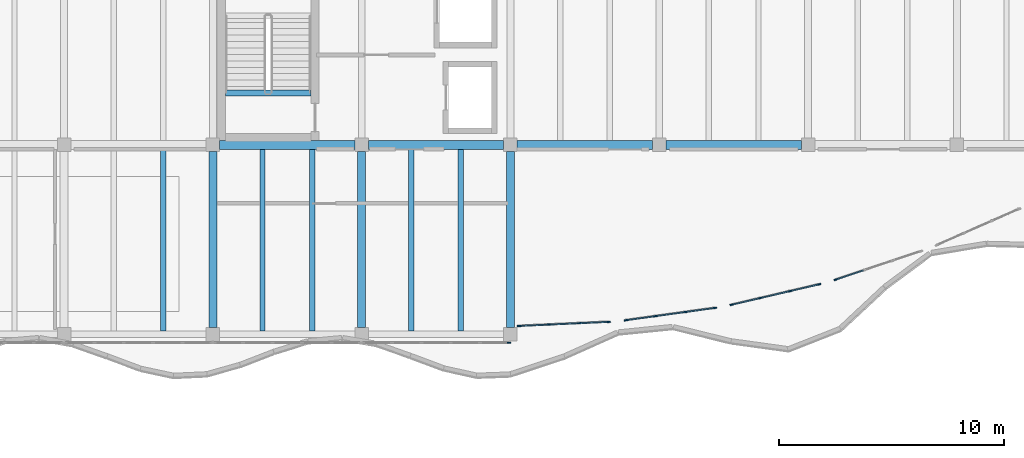
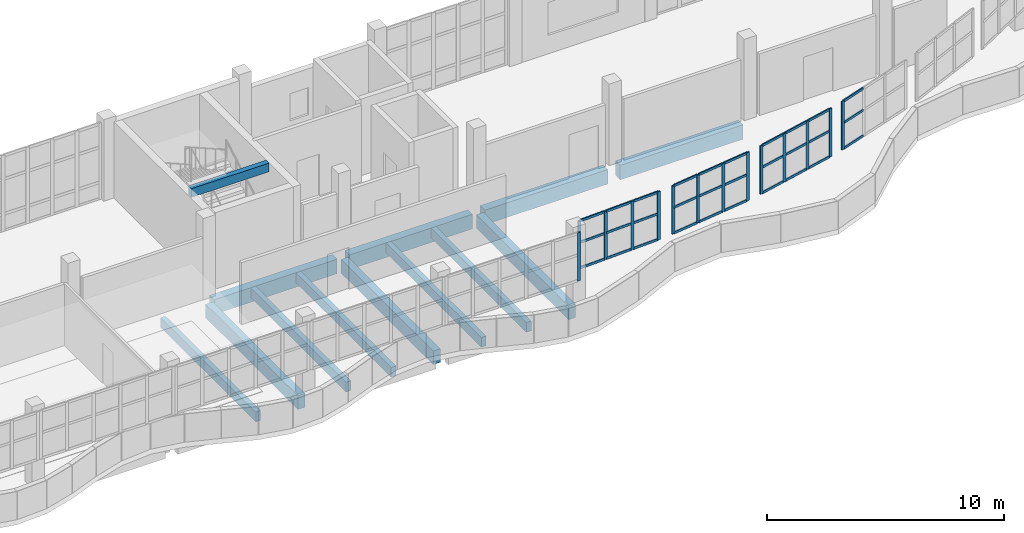
# One storey, part 17 of 74: 44 members, 13 beams, 5 elements without a shape of their own.
"""IFC4 building model written with IfcOpenShell, lengths in metres."""

import ifcopenshell
import ifcopenshell.guid

model = None  # the IFC model being written
_history = None  # IfcOwnerHistory: only IFC2X3 demands one
_inside = {}  # id of a spatial element -> (the spatial element, [elements in it])
_under = {}  # id of a project, library or spatial element -> (it, [spatial elements below it])
_declared = {}  # id of a project -> (the project, [libraries it declares])
_typed = {}  # id of a type object -> (the type object, [elements of that type])
_made_of = {}  # id of a material, layer set ... -> (it, [elements and type objects made of it])


def new_model(schema):
    """Start an empty IFC model of exactly this schema.

    Asked for "IFC4X3", IfcOpenShell would pick the latest addendum, in which some entities
    have other attributes; the version numbers below select the first issue.
    IFC2X3 requires an IfcOwnerHistory on every rooted entity: one is made here for all.
    """
    global model, _history
    if schema == "IFC4X3":
        model = ifcopenshell.file(schema_version=(4, 3, 0, 0))
    else:
        model = ifcopenshell.file(schema=schema)
    _inside.clear()
    _under.clear()
    _declared.clear()
    _typed.clear()
    _made_of.clear()
    _history = None
    if model.schema == "IFC2X3":
        org = make("IfcOrganization", Name="unknown")
        user = make(
            "IfcPersonAndOrganization",
            ThePerson=make("IfcPerson", FamilyName="unknown"),
            TheOrganization=org,
        )
        app = make(
            "IfcApplication",
            ApplicationDeveloper=org,
            Version="unknown",
            ApplicationFullName="unknown",
            ApplicationIdentifier="unknown",
        )
        _history = make(
            "IfcOwnerHistory",
            OwningUser=user,
            OwningApplication=app,
            ChangeAction="ADDED",
            CreationDate=0,
        )
    return model


def make(cls, **values):
    """One entity of the class cls with the attributes given. An attribute that is None is left unset."""
    return model.create_entity(
        cls, **{name: value for name, value in values.items() if value is not None}
    )


def rooted(cls, **values):
    """An entity with a GlobalId (a new one), such as an element, a storey or a relation."""
    return make(cls, GlobalId=ifcopenshell.guid.new(), OwnerHistory=_history, **values)


def si_unit(unit_type, name, prefix=None):
    """IfcSIUnit, for example si_unit("LENGTHUNIT", "METRE", prefix="MILLI")."""
    return make("IfcSIUnit", UnitType=unit_type, Prefix=prefix, Name=name)


def assignment(units):
    """IfcUnitAssignment: the units of a project."""
    return None if units is None else make("IfcUnitAssignment", Units=units)


def point(xyz):
    """IfcCartesianPoint."""
    return None if xyz is None else make("IfcCartesianPoint", Coordinates=xyz)


def direction(xyz):
    """IfcDirection."""
    return None if xyz is None else make("IfcDirection", DirectionRatios=xyz)


def frame(location, z_axis=None, x_axis=None):
    """IfcAxis2Placement3D, a coordinate frame: its origin and axes. An axis left out is left unset."""
    return make(
        "IfcAxis2Placement3D",
        Location=point(location),
        Axis=direction(z_axis),
        RefDirection=direction(x_axis),
    )


def frame_2d(location, x_axis=None):
    """IfcAxis2Placement2D, a coordinate frame in the plane: its origin and x axis."""
    return make(
        "IfcAxis2Placement2D", Location=point(location), RefDirection=direction(x_axis)
    )


def origin():
    """The frame at (0, 0, 0) with its axes left unset."""
    return frame((0.0, 0.0, 0.0))


def origin_2d():
    """The frame at (0, 0) in the plane with its x axis left unset."""
    return frame_2d((0.0, 0.0))


def place(relative_to, where):
    """IfcLocalPlacement: puts the frame where relative to a parent placement (None: the world)."""
    return make(
        "IfcLocalPlacement", PlacementRelTo=relative_to, RelativePlacement=where
    )


def context(
    kind, dimensions, precision=None, world=None, true_north=None, identifier=None
):
    """IfcGeometricRepresentationContext, for example the 3D "Model" context."""
    return make(
        "IfcGeometricRepresentationContext",
        ContextIdentifier=identifier,
        ContextType=kind,
        CoordinateSpaceDimension=dimensions,
        Precision=precision,
        WorldCoordinateSystem=world,
        TrueNorth=true_north,
    )


def subcontext(parent, identifier, kind, view, scale=None):
    """IfcGeometricRepresentationSubContext, for example "Body" below "Model"."""
    return make(
        "IfcGeometricRepresentationSubContext",
        ContextIdentifier=identifier,
        ContextType=kind,
        ParentContext=parent,
        TargetScale=scale,
        TargetView=view,
    )


def project(units=None, contexts=None):
    """IfcProject with its units and contexts."""
    return rooted(
        "IfcProject",
        Name="project",
        RepresentationContexts=contexts,
        UnitsInContext=assignment(units),
    )


def spatial(cls, under=None, at=None, **own):
    """A site, building, storey or space (cls), placed at a placement, below another one or the project."""
    s = rooted(cls, ObjectPlacement=at, **own)
    if under is not None:
        _under.setdefault(under.id(), (under, []))[1].append(s)
    return s


def profile(cls, at=None, kind="AREA", **sizes):
    """A parametric profile (cls). Its sizes go by their IFC names, for example OverallWidth=200.0."""
    return make(cls, ProfileType=kind, Position=at, **sizes)


def rectangle(**sizes):
    """IfcRectangleProfileDef."""
    return profile("IfcRectangleProfileDef", **sizes)


def extrude(swept, where, along, depth):
    """IfcExtrudedAreaSolid: the profile swept, set in the frame where, extruded along a direction by depth."""
    return make(
        "IfcExtrudedAreaSolid",
        SweptArea=swept,
        Position=where,
        ExtrudedDirection=direction(along),
        Depth=depth,
    )


def shape(context_of_items, identifier, shape_type, items):
    """IfcShapeRepresentation: the items that make up one representation, for example the "Body"."""
    return make(
        "IfcShapeRepresentation",
        ContextOfItems=context_of_items,
        RepresentationIdentifier=identifier,
        RepresentationType=shape_type,
        Items=items,
    )


def material(Name=None, Category=None):
    """IfcMaterial."""
    return make("IfcMaterial", Name=Name, Category=Category)


def material_profile(
    of_material, cross_section, Name=None, Category=None, Priority=None
):
    """IfcMaterialProfile: a cross section and its material."""
    return make(
        "IfcMaterialProfile",
        Name=Name,
        Material=of_material,
        Profile=cross_section,
        Priority=Priority,
        Category=Category,
    )


def profile_set(profiles, Name=None, composite=None):
    """IfcMaterialProfileSet."""
    return make(
        "IfcMaterialProfileSet",
        Name=Name,
        MaterialProfiles=profiles,
        CompositeProfile=composite,
    )


def made_of(thing, what):
    """Note that an element or type object is made of a material, layer set ...; save() writes the relation."""
    if what is not None:
        _made_of.setdefault(what.id(), (what, []))[1].append(thing)
    return thing


def type_object(cls, material=None, **own):
    """A type object (cls), such as IfcWallType, which elements share."""
    return made_of(rooted(cls, **own), material)


def element(
    cls,
    number,
    at=None,
    inside=None,
    cuts=None,
    type_object=None,
    material=None,
    context=None,
    identifier="Body",
    shape_type=None,
    held_by="IfcProductDefinitionShape",
    body=None,
    shapes=None,
    **own,
):
    """One element of the class cls, such as IfcWall. Its Tag is "e" and its number.

    at: its placement. inside: the storey or other place that contains it. cuts: it is an
    opening in that element (IfcRelVoidsElement). A single representation is given by context,
    identifier, shape_type and body (its items); several are given by shapes. held_by: the class
    of the entity that holds the representations. save() writes the other relations.
    """
    e = rooted(cls, Tag="e%d" % number, ObjectPlacement=at, **own)
    if body is not None:
        shapes = [shape(context, identifier, shape_type, body)]
    if shapes is not None:
        e.Representation = make(held_by, Representations=shapes)
    if inside is not None:
        _inside.setdefault(inside.id(), (inside, []))[1].append(e)
    if cuts is not None:
        rooted(
            "IfcRelVoidsElement", RelatingBuildingElement=cuts, RelatedOpeningElement=e
        )
    if type_object is not None:
        _typed.setdefault(type_object.id(), (type_object, []))[1].append(e)
    return made_of(e, material)


def aggregate(whole, parts):
    """IfcRelAggregates: a whole, such as a stair, and the parts it consists of."""
    return rooted("IfcRelAggregates", RelatingObject=whole, RelatedObjects=parts)


def save(model, path):
    """Write the relations noted so far, then the file.

    IfcRelAggregates (storeys below a building ...), IfcRelContainedInSpatialStructure (elements
    in a storey), IfcRelDefinesByType, IfcRelAssociatesMaterial and IfcRelDeclares: one each for
    every whole, place, type object, material and project.
    """
    for whole, parts in _under.values():
        aggregate(whole, parts)
    for where, things in _inside.values():
        rooted(
            "IfcRelContainedInSpatialStructure",
            RelatedElements=things,
            RelatingStructure=where,
        )
    for kind, things in _typed.values():
        rooted("IfcRelDefinesByType", RelatedObjects=things, RelatingType=kind)
    for what, things in _made_of.values():
        rooted("IfcRelAssociatesMaterial", RelatedObjects=things, RelatingMaterial=what)
    for by, libraries in _declared.values():
        rooted("IfcRelDeclares", RelatingContext=by, RelatedDefinitions=libraries)
    model.write(path)


model = new_model("IFC4")

# Units and contexts
model_context = context("Model", 3, precision=1e-05, world=origin(), true_north=direction((0.0, 1.0)))
body_context = subcontext(model_context, "Body", "Model", "MODEL_VIEW")
ifc_project = project(units=[si_unit("LENGTHUNIT", "METRE"), si_unit("AREAUNIT", "SQUARE_METRE"), si_unit("VOLUMEUNIT", "CUBIC_METRE"), si_unit("PLANEANGLEUNIT", "RADIAN"), si_unit("MASSUNIT", "GRAM", prefix="KILO")], contexts=[model_context])

# Site, building, storey
site_placement = place(None, origin())
site = spatial("IfcSite", under=ifc_project, at=site_placement, CompositionType="ELEMENT")
building_placement = place(site_placement, origin())
building = spatial("IfcBuilding", under=site, at=building_placement, Name="Qaldarim Faculty of Natural and Applied Sciences", CompositionType="ELEMENT")
storey_placement = place(building_placement, frame((0.0, 0.0, 14.39990234375)))
storey = spatial("IfcBuildingStorey", under=building, at=storey_placement, Name="L03", CompositionType="ELEMENT", Elevation=14.39990234375)

# Beams
ifc_material_1 = material(Name="Concrete C40/50", Category="concrete")
ifc_material_profile_1 = material_profile(ifc_material_1, rectangle(XDim=0.239990234375, YDim=0.5, at=origin_2d()), Name="RC-J240x500")
ifc_profile_set_1 = profile_set([ifc_material_profile_1], Name="Concrete C40/50")
beam_type_1 = type_object("IfcBeamType", Name="HeavyJoist-RC240x500", PredefinedType="JOIST", material=ifc_profile_set_1)
for number, where, z_axis, x_axis, name in (
    (1, (96.800048828125, 100.949951171875, -0.510009765625), (0.0, 1.0, 0.0), (-1.0, 0.0, 0.0), "Laboratory joist L02 bay X15Y13-2"),
    (2, (101.199951171875, 100.949951171875, -0.510009765625), (0.0, 1.0, 0.0), (-1.0, 0.0, 0.0), "Laboratory joist L02 bay X16Y13-1"),
    (3, (103.39990234375, 100.949951171875, -0.510009765625), (0.0, 1.0, 0.0), (-1.0, 0.0, 0.0), "Laboratory joist L02 bay X16Y13-2"),
    (4, (107.800048828125, 100.949951171875, -0.510009765625), (0.0, 1.0, 0.0), (-1.0, 0.0, 0.0), "Laboratory joist L02 bay X17Y13-1"),
    (5, (110.0, 100.949951171875, -0.510009765625), (0.0, 1.0, 0.0), (-1.0, 0.0, 0.0), "Laboratory joist L02 bay X17Y13-2"),
):
    element("IfcBeam", number, at=place(storey_placement, frame(where, z_axis=z_axis, x_axis=x_axis)), inside=storey, type_object=beam_type_1, Name=name, PredefinedType="JOIST", context=body_context, shape_type="SweptSolid", body=[
        extrude(rectangle(XDim=0.239990234375, YDim=0.5, at=origin_2d()), origin(), (0.0, 0.0, 1.0), 8.050048828125),
    ])
ifc_material_2 = material(Name="Concrete C50/60", Category="concrete")
ifc_material_profile_2 = material_profile(ifc_material_2, rectangle(XDim=0.39990234375, YDim=0.75, at=origin_2d()), Name="RC-B400x750")
ifc_profile_set_2 = profile_set([ifc_material_profile_2], Name="Concrete C50/60")
beam_type_2 = type_object("IfcBeamType", Name="LabGirder-RC400x750", PredefinedType="BEAM", material=ifc_profile_set_2)
for number, where, z_axis, x_axis, name in (
    (6, (99.300048828125, 109.199951171875, -0.635009765625), (1.0, 0.0, 0.0), (0.0, 1.0, 0.0), "Beam RC-B400x750 L02 X16-X17/Y14"),
    (7, (105.89990234375, 109.199951171875, -0.635009765625), (1.0, 0.0, 0.0), (0.0, 1.0, 0.0), "Beam RC-B400x750 L02 X17-X18/Y14"),
    (8, (112.5, 109.199951171875, -0.635009765625), (1.0, 0.0, 0.0), (0.0, 1.0, 0.0), "Beam RC-B400x750 L02 X18-X19/Y14"),
    (9, (119.10009765625, 109.199951171875, -0.635009765625), (1.0, 0.0, 0.0), (0.0, 1.0, 0.0), "Beam RC-B400x750 L02 X19-X20/Y14"),
):
    element("IfcBeam", number, at=place(storey_placement, frame(where, z_axis=z_axis, x_axis=x_axis)), inside=storey, type_object=beam_type_2, Name=name, PredefinedType="BEAM", context=body_context, shape_type="SweptSolid", body=[
        extrude(rectangle(XDim=0.39990234375, YDim=0.75, at=origin_2d()), origin(), (0.0, 0.0, 1.0), 6.0),
    ])
ifc_material_profile_3 = material_profile(ifc_material_1, rectangle(XDim=0.25, YDim=0.449951171875, at=origin_2d()), Name="RC-LN250x450")
ifc_profile_set_3 = profile_set([ifc_material_profile_3], Name="Concrete C40/50")
beam_type_3 = type_object("IfcBeamType", Name="LandingSupportBeam-RC250x450", PredefinedType="BEAM", material=ifc_profile_set_3)
beam_placement = place(storey_placement, frame((99.550048828125, 111.5, 3.715087890625), z_axis=(1.0, 0.0, 0.0), x_axis=(0.0, 1.0, 0.0)))
element("IfcBeam", 10, at=beam_placement, inside=storey, type_object=beam_type_3, Name="Stair arrival support beam ST-B1 L03", PredefinedType="BEAM", context=body_context, shape_type="SweptSolid", body=[
    extrude(rectangle(XDim=0.25, YDim=0.449951171875, at=origin_2d()), origin(), (0.0, 0.0, 1.0), 3.800048828125),
])

# Curtain wall, member
ifc_material_3 = material(Name="Anodised aluminium AW-6063", Category="aluminium")
curtain_wall_type = type_object("IfcCurtainWallType", Name="CurtainWallSystem-M1400", PredefinedType="USERDEFINED", material=ifc_material_3)
curtain_wall_1_placement = place(storey_placement, origin())
curtain_wall_1 = element("IfcCurtainWall", 11, at=curtain_wall_1_placement, inside=storey, type_object=curtain_wall_type, Name="Curtain wall CW-V4RIB-L03-X17", ObjectType="STICK CURTAIN WALL", PredefinedType="USERDEFINED")
ifc_material_profile_4 = material_profile(ifc_material_3, rectangle(XDim=0.06005859375, YDim=0.14990234375, at=origin_2d()), Name="ALU-M60x150")
ifc_profile_set_4 = profile_set([ifc_material_profile_4], Name="Anodised aluminium AW-6063")
member_type_1 = type_object("IfcMemberType", Name="Mullion-ALU60x150", PredefinedType="MULLION", material=ifc_profile_set_4)
member_1_placement = place(storey_placement, frame((112.1298828125, 100.419921875, 1.4501953125), z_axis=(0.0, 0.0, 1.0), x_axis=(0.0, 1.0, 0.0)))
member_1 = element("IfcMember", 12, at=member_1_placement, type_object=member_type_1, Name="Mullion 6 of CW-V4RIB-L03-X17", PredefinedType="MULLION", context=body_context, shape_type="SweptSolid", body=[
    extrude(rectangle(XDim=0.06005859375, YDim=0.14990234375, at=origin_2d()), origin(), (0.0, 0.0, 1.0), 2.489990234375),
])
aggregate(curtain_wall_1, [member_1])

# Curtain wall, members
curtain_wall_2_placement = place(storey_placement, origin())
curtain_wall_2 = element("IfcCurtainWall", 13, at=curtain_wall_2_placement, inside=storey, type_object=curtain_wall_type, Name="Curtain wall CW-V4ARC-L03-00", ObjectType="STICK CURTAIN WALL", PredefinedType="USERDEFINED")
member_2_placement = place(storey_placement, frame((112.580078125, 101.16650390625, 1.4501953125), z_axis=(0.0, 0.0, 1.0), x_axis=(-0.045746561938, 0.998953078013, 0.0)))
member_2 = element("IfcMember", 14, at=member_2_placement, type_object=member_type_1, Name="Mullion 1 of CW-V4ARC-L03-00", PredefinedType="MULLION", context=body_context, shape_type="SweptSolid", body=[
    extrude(rectangle(XDim=0.06005859375, YDim=0.14990234375, at=origin_2d()), origin(), (0.0, 0.0, 1.0), 2.489990234375),
])
member_3_placement = place(storey_placement, frame((113.896728515625, 101.226806640625, 1.4501953125), z_axis=(0.0, 0.0, 1.0), x_axis=(-0.045746561938, 0.998953078013, 0.0)))
member_3 = element("IfcMember", 15, at=member_3_placement, type_object=member_type_1, Name="Mullion 2 of CW-V4ARC-L03-00", PredefinedType="MULLION", context=body_context, shape_type="SweptSolid", body=[
    extrude(rectangle(XDim=0.06005859375, YDim=0.14990234375, at=origin_2d()), origin(), (0.0, 0.0, 1.0), 2.489990234375),
])
member_4_placement = place(storey_placement, frame((115.243408203125, 101.288330078125, 1.4501953125), z_axis=(0.0, 0.0, 1.0), x_axis=(-0.045746561938, 0.998953078013, 0.0)))
member_4 = element("IfcMember", 16, at=member_4_placement, type_object=member_type_1, Name="Mullion 3 of CW-V4ARC-L03-00", PredefinedType="MULLION", context=body_context, shape_type="SweptSolid", body=[
    extrude(rectangle(XDim=0.06005859375, YDim=0.14990234375, at=origin_2d()), origin(), (0.0, 0.0, 1.0), 2.489990234375),
])
member_5_placement = place(storey_placement, frame((116.56005859375, 101.3486328125, 1.4501953125), z_axis=(0.0, 0.0, 1.0), x_axis=(-0.045746561938, 0.998953078013, 0.0)))
member_5 = element("IfcMember", 17, at=member_5_placement, type_object=member_type_1, Name="Mullion 4 of CW-V4ARC-L03-00", PredefinedType="MULLION", context=body_context, shape_type="SweptSolid", body=[
    extrude(rectangle(XDim=0.06005859375, YDim=0.14990234375, at=origin_2d()), origin(), (0.0, 0.0, 1.0), 2.489990234375),
])

curtain_wall_3_placement = place(storey_placement, origin())
curtain_wall_3 = element("IfcCurtainWall", 18, at=curtain_wall_3_placement, inside=storey, type_object=curtain_wall_type, Name="Curtain wall CW-V4ARC-L03-02", ObjectType="STICK CURTAIN WALL", PredefinedType="USERDEFINED")
member_6_placement = place(storey_placement, frame((117.314697265625, 101.419189453125, 1.4501953125), z_axis=(0.0, 0.0, 1.0), x_axis=(-0.137098784642, 0.990557380089, 0.0)))
member_6 = element("IfcMember", 19, at=member_6_placement, type_object=member_type_1, Name="Mullion 1 of CW-V4ARC-L03-02", PredefinedType="MULLION", context=body_context, shape_type="SweptSolid", body=[
    extrude(rectangle(XDim=0.06005859375, YDim=0.14990234375, at=origin_2d()), origin(), (0.0, 0.0, 1.0), 2.489990234375),
])
member_7_placement = place(storey_placement, frame((118.62158203125, 101.60009765625, 1.4501953125), z_axis=(0.0, 0.0, 1.0), x_axis=(-0.137098784642, 0.990557380089, 0.0)))
member_7 = element("IfcMember", 20, at=member_7_placement, type_object=member_type_1, Name="Mullion 2 of CW-V4ARC-L03-02", PredefinedType="MULLION", context=body_context, shape_type="SweptSolid", body=[
    extrude(rectangle(XDim=0.06005859375, YDim=0.14990234375, at=origin_2d()), origin(), (0.0, 0.0, 1.0), 2.489990234375),
])
member_8_placement = place(storey_placement, frame((119.958251953125, 101.784912109375, 1.4501953125), z_axis=(0.0, 0.0, 1.0), x_axis=(-0.137098784642, 0.990557380089, 0.0)))
member_8 = element("IfcMember", 21, at=member_8_placement, type_object=member_type_1, Name="Mullion 3 of CW-V4ARC-L03-02", PredefinedType="MULLION", context=body_context, shape_type="SweptSolid", body=[
    extrude(rectangle(XDim=0.06005859375, YDim=0.14990234375, at=origin_2d()), origin(), (0.0, 0.0, 1.0), 2.489990234375),
])
member_9_placement = place(storey_placement, frame((121.265380859375, 101.9658203125, 1.4501953125), z_axis=(0.0, 0.0, 1.0), x_axis=(-0.137098784642, 0.990557380089, 0.0)))
member_9 = element("IfcMember", 22, at=member_9_placement, type_object=member_type_1, Name="Mullion 4 of CW-V4ARC-L03-02", PredefinedType="MULLION", context=body_context, shape_type="SweptSolid", body=[
    extrude(rectangle(XDim=0.06005859375, YDim=0.14990234375, at=origin_2d()), origin(), (0.0, 0.0, 1.0), 2.489990234375),
])

curtain_wall_4_placement = place(storey_placement, origin())
curtain_wall_4 = element("IfcCurtainWall", 23, at=curtain_wall_4_placement, inside=storey, type_object=curtain_wall_type, Name="Curtain wall CW-V4ARC-L03-04", ObjectType="STICK CURTAIN WALL", PredefinedType="USERDEFINED")
member_10_placement = place(storey_placement, frame((122.00927734375, 102.106689453125, 1.4501953125), z_axis=(0.0, 0.0, 1.0), x_axis=(-0.2273822043, 0.973805593108, 0.0)))
member_10 = element("IfcMember", 24, at=member_10_placement, type_object=member_type_1, Name="Mullion 1 of CW-V4ARC-L03-04", PredefinedType="MULLION", context=body_context, shape_type="SweptSolid", body=[
    extrude(rectangle(XDim=0.06005859375, YDim=0.14990234375, at=origin_2d()), origin(), (0.0, 0.0, 1.0), 2.489990234375),
])
member_11_placement = place(storey_placement, frame((123.293212890625, 102.40673828125, 1.4501953125), z_axis=(0.0, 0.0, 1.0), x_axis=(-0.2273822043, 0.973805593108, 0.0)))
member_11 = element("IfcMember", 25, at=member_11_placement, type_object=member_type_1, Name="Mullion 2 of CW-V4ARC-L03-04", PredefinedType="MULLION", context=body_context, shape_type="SweptSolid", body=[
    extrude(rectangle(XDim=0.06005859375, YDim=0.14990234375, at=origin_2d()), origin(), (0.0, 0.0, 1.0), 2.489990234375),
])
member_12_placement = place(storey_placement, frame((124.606689453125, 102.71337890625, 1.4501953125), z_axis=(0.0, 0.0, 1.0), x_axis=(-0.2273822043, 0.973805593108, 0.0)))
member_12 = element("IfcMember", 26, at=member_12_placement, type_object=member_type_1, Name="Mullion 3 of CW-V4ARC-L03-04", PredefinedType="MULLION", context=body_context, shape_type="SweptSolid", body=[
    extrude(rectangle(XDim=0.06005859375, YDim=0.14990234375, at=origin_2d()), origin(), (0.0, 0.0, 1.0), 2.489990234375),
])
member_13_placement = place(storey_placement, frame((125.890869140625, 103.01318359375, 1.4501953125), z_axis=(0.0, 0.0, 1.0), x_axis=(-0.2273822043, 0.973805593108, 0.0)))
member_13 = element("IfcMember", 27, at=member_13_placement, type_object=member_type_1, Name="Mullion 4 of CW-V4ARC-L03-04", PredefinedType="MULLION", context=body_context, shape_type="SweptSolid", body=[
    extrude(rectangle(XDim=0.06005859375, YDim=0.14990234375, at=origin_2d()), origin(), (0.0, 0.0, 1.0), 2.489990234375),
])

# Curtain wall, member
curtain_wall_5_placement = place(storey_placement, origin())
curtain_wall_5 = element("IfcCurtainWall", 28, at=curtain_wall_5_placement, inside=storey, type_object=curtain_wall_type, Name="Curtain wall CW-V4ARC-L03-06", ObjectType="STICK CURTAIN WALL", PredefinedType="USERDEFINED")
member_14_placement = place(storey_placement, frame((126.62353515625, 103.219482421875, 1.4501953125), z_axis=(0.0, 0.0, 1.0), x_axis=(-0.316592858196, 0.94856152259, 0.0)))
member_14 = element("IfcMember", 29, at=member_14_placement, type_object=member_type_1, Name="Mullion 1 of CW-V4ARC-L03-06", PredefinedType="MULLION", context=body_context, shape_type="SweptSolid", body=[
    extrude(rectangle(XDim=0.06005859375, YDim=0.14990234375, at=origin_2d()), origin(), (0.0, 0.0, 1.0), 2.489990234375),
])

# Beams
ifc_material_profile_5 = material_profile(ifc_material_1, rectangle(XDim=0.35009765625, YDim=0.699951171875, at=origin_2d()), Name="RC-B350x700")
ifc_profile_set_5 = profile_set([ifc_material_profile_5], Name="Concrete C40/50")
beam_type_4 = type_object("IfcBeamType", Name="PrimaryGirder-RC350x700", PredefinedType="BEAM", material=ifc_profile_set_5)
for number, where, z_axis, x_axis, name in (
    (30, (99.0, 101.10009765625, -0.60986328125), (0.0, 1.0, 0.0), (-1.0, 0.0, 0.0), "Beam RC-B350x700 L02 X16/Y13-Y14"),
    (31, (105.60009765625, 101.10009765625, -0.60986328125), (0.0, 1.0, 0.0), (-1.0, 0.0, 0.0), "Beam RC-B350x700 L02 X17/Y13-Y14"),
    (32, (112.199951171875, 101.10009765625, -0.60986328125), (0.0, 1.0, 0.0), (-1.0, 0.0, 0.0), "Beam RC-B350x700 L02 X18/Y13-Y14"),
):
    element("IfcBeam", number, at=place(storey_placement, frame(where, z_axis=z_axis, x_axis=x_axis)), inside=storey, type_object=beam_type_4, Name=name, PredefinedType="BEAM", context=body_context, shape_type="SweptSolid", body=[
        extrude(rectangle(XDim=0.35009765625, YDim=0.699951171875, at=origin_2d()), origin(), (0.0, 0.0, 1.0), 7.7998046875),
    ])

# Member
ifc_material_profile_6 = material_profile(ifc_material_3, rectangle(XDim=0.06005859375, YDim=0.1201171875, at=origin_2d()), Name="ALU-T60x120")
ifc_profile_set_6 = profile_set([ifc_material_profile_6], Name="Anodised aluminium AW-6063")
member_type_2 = type_object("IfcMemberType", Name="Transom-ALU60x120", PredefinedType="USERDEFINED", material=ifc_profile_set_6)
member_15_placement = place(storey_placement, frame((112.60986328125, 101.167724609375, 1.47998046875), z_axis=(0.998950860926, 0.045794950112, 0.0), x_axis=(-0.045794950112, 0.998950860926, 0.0)))
member_15 = element("IfcMember", 33, at=member_15_placement, type_object=member_type_2, Name="Transom 1-1 of CW-V4ARC-L03-00", ObjectType="TRANSOM", PredefinedType="USERDEFINED", context=body_context, shape_type="SweptSolid", body=[
    extrude(rectangle(XDim=0.06005859375, YDim=0.1201171875, at=origin_2d()), origin(), (0.0, 0.0, 1.0), 1.258056640625),
])

member_16_placement = place(storey_placement, frame((112.60986328125, 101.167724609375, 2.800048828125), z_axis=(0.998950860926, 0.045794950112, 0.0), x_axis=(-0.045794950112, 0.998950860926, 0.0)))
member_16 = element("IfcMember", 34, at=member_16_placement, type_object=member_type_2, Name="Transom 1-2 of CW-V4ARC-L03-00", ObjectType="TRANSOM", PredefinedType="USERDEFINED", context=body_context, shape_type="SweptSolid", body=[
    extrude(rectangle(XDim=0.06005859375, YDim=0.1201171875, at=origin_2d()), origin(), (0.0, 0.0, 1.0), 1.258056640625),
])

member_17_placement = place(storey_placement, frame((112.60986328125, 101.167724609375, 3.91015625), z_axis=(0.998950860926, 0.045794950112, 0.0), x_axis=(-0.045794950112, 0.998950860926, 0.0)))
member_17 = element("IfcMember", 35, at=member_17_placement, type_object=member_type_2, Name="Transom 1-3 of CW-V4ARC-L03-00", ObjectType="TRANSOM", PredefinedType="USERDEFINED", context=body_context, shape_type="SweptSolid", body=[
    extrude(rectangle(XDim=0.06005859375, YDim=0.1201171875, at=origin_2d()), origin(), (0.0, 0.0, 1.0), 1.258056640625),
])

member_18_placement = place(storey_placement, frame((113.926513671875, 101.22802734375, 1.47998046875), z_axis=(0.998947726126, 0.04586328016, 0.0), x_axis=(-0.04586328016, 0.998947726126, 0.0)))
member_18 = element("IfcMember", 36, at=member_18_placement, type_object=member_type_2, Name="Transom 2-1 of CW-V4ARC-L03-00", ObjectType="TRANSOM", PredefinedType="USERDEFINED", context=body_context, shape_type="SweptSolid", body=[
    extrude(rectangle(XDim=0.06005859375, YDim=0.1201171875, at=origin_2d()), origin(), (0.0, 0.0, 1.0), 1.288330078125),
])

member_19_placement = place(storey_placement, frame((113.926513671875, 101.22802734375, 2.800048828125), z_axis=(0.998947726126, 0.04586328016, 0.0), x_axis=(-0.04586328016, 0.998947726126, 0.0)))
member_19 = element("IfcMember", 37, at=member_19_placement, type_object=member_type_2, Name="Transom 2-2 of CW-V4ARC-L03-00", ObjectType="TRANSOM", PredefinedType="USERDEFINED", context=body_context, shape_type="SweptSolid", body=[
    extrude(rectangle(XDim=0.06005859375, YDim=0.1201171875, at=origin_2d()), origin(), (0.0, 0.0, 1.0), 1.288330078125),
])

member_20_placement = place(storey_placement, frame((113.926513671875, 101.22802734375, 3.91015625), z_axis=(0.998947726126, 0.04586328016, 0.0), x_axis=(-0.04586328016, 0.998947726126, 0.0)))
member_20 = element("IfcMember", 38, at=member_20_placement, type_object=member_type_2, Name="Transom 2-3 of CW-V4ARC-L03-00", ObjectType="TRANSOM", PredefinedType="USERDEFINED", context=body_context, shape_type="SweptSolid", body=[
    extrude(rectangle(XDim=0.06005859375, YDim=0.1201171875, at=origin_2d()), origin(), (0.0, 0.0, 1.0), 1.288330078125),
])

member_21_placement = place(storey_placement, frame((115.273193359375, 101.289794921875, 1.47998046875), z_axis=(0.998950860926, 0.045794950112, 0.0), x_axis=(-0.045794950112, 0.998950860926, 0.0)))
member_21 = element("IfcMember", 39, at=member_21_placement, type_object=member_type_2, Name="Transom 3-1 of CW-V4ARC-L03-00", ObjectType="TRANSOM", PredefinedType="USERDEFINED", context=body_context, shape_type="SweptSolid", body=[
    extrude(rectangle(XDim=0.06005859375, YDim=0.1201171875, at=origin_2d()), origin(), (0.0, 0.0, 1.0), 1.258056640625),
])

member_22_placement = place(storey_placement, frame((115.273193359375, 101.289794921875, 2.800048828125), z_axis=(0.998950860926, 0.045794950112, 0.0), x_axis=(-0.045794950112, 0.998950860926, 0.0)))
member_22 = element("IfcMember", 40, at=member_22_placement, type_object=member_type_2, Name="Transom 3-2 of CW-V4ARC-L03-00", ObjectType="TRANSOM", PredefinedType="USERDEFINED", context=body_context, shape_type="SweptSolid", body=[
    extrude(rectangle(XDim=0.06005859375, YDim=0.1201171875, at=origin_2d()), origin(), (0.0, 0.0, 1.0), 1.258056640625),
])

member_23_placement = place(storey_placement, frame((115.273193359375, 101.289794921875, 3.91015625), z_axis=(0.998950860926, 0.045794950112, 0.0), x_axis=(-0.045794950112, 0.998950860926, 0.0)))
member_23 = element("IfcMember", 41, at=member_23_placement, type_object=member_type_2, Name="Transom 3-3 of CW-V4ARC-L03-00", ObjectType="TRANSOM", PredefinedType="USERDEFINED", context=body_context, shape_type="SweptSolid", body=[
    extrude(rectangle(XDim=0.06005859375, YDim=0.1201171875, at=origin_2d()), origin(), (0.0, 0.0, 1.0), 1.258056640625),
])

aggregate(curtain_wall_2, [member_2, member_3, member_4, member_5, member_15, member_16, member_17, member_18, member_19, member_20, member_21, member_22, member_23])

member_24_placement = place(storey_placement, frame((117.344482421875, 101.423095703125, 1.47998046875), z_axis=(0.990534056206, 0.137267197454, 0.0), x_axis=(-0.137267197454, 0.990534056206, 0.0)))
member_24 = element("IfcMember", 42, at=member_24_placement, type_object=member_type_2, Name="Transom 1-1 of CW-V4ARC-L03-02", ObjectType="TRANSOM", PredefinedType="USERDEFINED", context=body_context, shape_type="SweptSolid", body=[
    extrude(rectangle(XDim=0.06005859375, YDim=0.1201171875, at=origin_2d()), origin(), (0.0, 0.0, 1.0), 1.25927734375),
])

member_25_placement = place(storey_placement, frame((117.344482421875, 101.423095703125, 2.800048828125), z_axis=(0.990534056206, 0.137267197454, 0.0), x_axis=(-0.137267197454, 0.990534056206, 0.0)))
member_25 = element("IfcMember", 43, at=member_25_placement, type_object=member_type_2, Name="Transom 1-2 of CW-V4ARC-L03-02", ObjectType="TRANSOM", PredefinedType="USERDEFINED", context=body_context, shape_type="SweptSolid", body=[
    extrude(rectangle(XDim=0.06005859375, YDim=0.1201171875, at=origin_2d()), origin(), (0.0, 0.0, 1.0), 1.25927734375),
])

member_26_placement = place(storey_placement, frame((117.344482421875, 101.423095703125, 3.91015625), z_axis=(0.990534056206, 0.137267197454, 0.0), x_axis=(-0.137267197454, 0.990534056206, 0.0)))
member_26 = element("IfcMember", 44, at=member_26_placement, type_object=member_type_2, Name="Transom 1-3 of CW-V4ARC-L03-02", ObjectType="TRANSOM", PredefinedType="USERDEFINED", context=body_context, shape_type="SweptSolid", body=[
    extrude(rectangle(XDim=0.06005859375, YDim=0.1201171875, at=origin_2d()), origin(), (0.0, 0.0, 1.0), 1.25927734375),
])

member_27_placement = place(storey_placement, frame((118.6513671875, 101.60400390625, 1.47998046875), z_axis=(0.990535220067, 0.137258798652, 0.0), x_axis=(-0.137258798652, 0.990535220067, 0.0)))
member_27 = element("IfcMember", 45, at=member_27_placement, type_object=member_type_2, Name="Transom 2-1 of CW-V4ARC-L03-02", ObjectType="TRANSOM", PredefinedType="USERDEFINED", context=body_context, shape_type="SweptSolid", body=[
    extrude(rectangle(XDim=0.06005859375, YDim=0.1201171875, at=origin_2d()), origin(), (0.0, 0.0, 1.0), 1.28955078125),
])

member_28_placement = place(storey_placement, frame((118.6513671875, 101.60400390625, 2.800048828125), z_axis=(0.990535220067, 0.137258798652, 0.0), x_axis=(-0.137258798652, 0.990535220067, 0.0)))
member_28 = element("IfcMember", 46, at=member_28_placement, type_object=member_type_2, Name="Transom 2-2 of CW-V4ARC-L03-02", ObjectType="TRANSOM", PredefinedType="USERDEFINED", context=body_context, shape_type="SweptSolid", body=[
    extrude(rectangle(XDim=0.06005859375, YDim=0.1201171875, at=origin_2d()), origin(), (0.0, 0.0, 1.0), 1.28955078125),
])

member_29_placement = place(storey_placement, frame((118.6513671875, 101.60400390625, 3.91015625), z_axis=(0.990535220067, 0.137258798652, 0.0), x_axis=(-0.137258798652, 0.990535220067, 0.0)))
member_29 = element("IfcMember", 47, at=member_29_placement, type_object=member_type_2, Name="Transom 2-3 of CW-V4ARC-L03-02", ObjectType="TRANSOM", PredefinedType="USERDEFINED", context=body_context, shape_type="SweptSolid", body=[
    extrude(rectangle(XDim=0.06005859375, YDim=0.1201171875, at=origin_2d()), origin(), (0.0, 0.0, 1.0), 1.28955078125),
])

member_30_placement = place(storey_placement, frame((119.988037109375, 101.7890625, 1.47998046875), z_axis=(0.9905377083, 0.137240840993, 0.0), x_axis=(-0.137240840993, 0.9905377083, 0.0)))
member_30 = element("IfcMember", 48, at=member_30_placement, type_object=member_type_2, Name="Transom 3-1 of CW-V4ARC-L03-02", ObjectType="TRANSOM", PredefinedType="USERDEFINED", context=body_context, shape_type="SweptSolid", body=[
    extrude(rectangle(XDim=0.06005859375, YDim=0.1201171875, at=origin_2d()), origin(), (0.0, 0.0, 1.0), 1.259521484375),
])

member_31_placement = place(storey_placement, frame((119.988037109375, 101.7890625, 2.800048828125), z_axis=(0.9905377083, 0.137240840993, 0.0), x_axis=(-0.137240840993, 0.9905377083, 0.0)))
member_31 = element("IfcMember", 49, at=member_31_placement, type_object=member_type_2, Name="Transom 3-2 of CW-V4ARC-L03-02", ObjectType="TRANSOM", PredefinedType="USERDEFINED", context=body_context, shape_type="SweptSolid", body=[
    extrude(rectangle(XDim=0.06005859375, YDim=0.1201171875, at=origin_2d()), origin(), (0.0, 0.0, 1.0), 1.259521484375),
])

member_32_placement = place(storey_placement, frame((119.988037109375, 101.7890625, 3.91015625), z_axis=(0.9905377083, 0.137240840993, 0.0), x_axis=(-0.137240840993, 0.9905377083, 0.0)))
member_32 = element("IfcMember", 50, at=member_32_placement, type_object=member_type_2, Name="Transom 3-3 of CW-V4ARC-L03-02", ObjectType="TRANSOM", PredefinedType="USERDEFINED", context=body_context, shape_type="SweptSolid", body=[
    extrude(rectangle(XDim=0.06005859375, YDim=0.1201171875, at=origin_2d()), origin(), (0.0, 0.0, 1.0), 1.259521484375),
])

aggregate(curtain_wall_3, [member_6, member_7, member_8, member_9, member_24, member_25, member_26, member_27, member_28, member_29, member_30, member_31, member_32])

member_33_placement = place(storey_placement, frame((122.038330078125, 102.113525390625, 1.47998046875), z_axis=(0.973779660512, 0.227493236762, 0.0), x_axis=(-0.227493236762, 0.973779660512, 0.0)))
member_33 = element("IfcMember", 51, at=member_33_placement, type_object=member_type_2, Name="Transom 1-1 of CW-V4ARC-L03-04", ObjectType="TRANSOM", PredefinedType="USERDEFINED", context=body_context, shape_type="SweptSolid", body=[
    extrude(rectangle(XDim=0.06005859375, YDim=0.1201171875, at=origin_2d()), origin(), (0.0, 0.0, 1.0), 1.2587890625),
])

member_34_placement = place(storey_placement, frame((122.038330078125, 102.113525390625, 2.800048828125), z_axis=(0.973779660512, 0.227493236762, 0.0), x_axis=(-0.227493236762, 0.973779660512, 0.0)))
member_34 = element("IfcMember", 52, at=member_34_placement, type_object=member_type_2, Name="Transom 1-2 of CW-V4ARC-L03-04", ObjectType="TRANSOM", PredefinedType="USERDEFINED", context=body_context, shape_type="SweptSolid", body=[
    extrude(rectangle(XDim=0.06005859375, YDim=0.1201171875, at=origin_2d()), origin(), (0.0, 0.0, 1.0), 1.2587890625),
])

member_35_placement = place(storey_placement, frame((122.038330078125, 102.113525390625, 3.91015625), z_axis=(0.973779660512, 0.227493236762, 0.0), x_axis=(-0.227493236762, 0.973779660512, 0.0)))
member_35 = element("IfcMember", 53, at=member_35_placement, type_object=member_type_2, Name="Transom 1-3 of CW-V4ARC-L03-04", ObjectType="TRANSOM", PredefinedType="USERDEFINED", context=body_context, shape_type="SweptSolid", body=[
    extrude(rectangle(XDim=0.06005859375, YDim=0.1201171875, at=origin_2d()), origin(), (0.0, 0.0, 1.0), 1.2587890625),
])

member_36_placement = place(storey_placement, frame((123.322509765625, 102.41357421875, 1.47998046875), z_axis=(0.973813252853, 0.227349397553, 0.0), x_axis=(-0.227349397553, 0.973813252853, 0.0)))
member_36 = element("IfcMember", 54, at=member_36_placement, type_object=member_type_2, Name="Transom 2-1 of CW-V4ARC-L03-04", ObjectType="TRANSOM", PredefinedType="USERDEFINED", context=body_context, shape_type="SweptSolid", body=[
    extrude(rectangle(XDim=0.06005859375, YDim=0.1201171875, at=origin_2d()), origin(), (0.0, 0.0, 1.0), 1.28857421875),
])

member_37_placement = place(storey_placement, frame((123.322509765625, 102.41357421875, 2.800048828125), z_axis=(0.973813252853, 0.227349397553, 0.0), x_axis=(-0.227349397553, 0.973813252853, 0.0)))
member_37 = element("IfcMember", 55, at=member_37_placement, type_object=member_type_2, Name="Transom 2-2 of CW-V4ARC-L03-04", ObjectType="TRANSOM", PredefinedType="USERDEFINED", context=body_context, shape_type="SweptSolid", body=[
    extrude(rectangle(XDim=0.06005859375, YDim=0.1201171875, at=origin_2d()), origin(), (0.0, 0.0, 1.0), 1.28857421875),
])

member_38_placement = place(storey_placement, frame((123.322509765625, 102.41357421875, 3.91015625), z_axis=(0.973813252853, 0.227349397553, 0.0), x_axis=(-0.227349397553, 0.973813252853, 0.0)))
member_38 = element("IfcMember", 56, at=member_38_placement, type_object=member_type_2, Name="Transom 2-3 of CW-V4ARC-L03-04", ObjectType="TRANSOM", PredefinedType="USERDEFINED", context=body_context, shape_type="SweptSolid", body=[
    extrude(rectangle(XDim=0.06005859375, YDim=0.1201171875, at=origin_2d()), origin(), (0.0, 0.0, 1.0), 1.28857421875),
])

member_39_placement = place(storey_placement, frame((124.635986328125, 102.72021484375, 1.47998046875), z_axis=(0.9738125844, 0.22735226074, 0.0), x_axis=(-0.22735226074, 0.9738125844, 0.0)))
member_39 = element("IfcMember", 57, at=member_39_placement, type_object=member_type_2, Name="Transom 3-1 of CW-V4ARC-L03-04", ObjectType="TRANSOM", PredefinedType="USERDEFINED", context=body_context, shape_type="SweptSolid", body=[
    extrude(rectangle(XDim=0.06005859375, YDim=0.1201171875, at=origin_2d()), origin(), (0.0, 0.0, 1.0), 1.258544921875),
])

member_40_placement = place(storey_placement, frame((124.635986328125, 102.72021484375, 2.800048828125), z_axis=(0.9738125844, 0.22735226074, 0.0), x_axis=(-0.22735226074, 0.9738125844, 0.0)))
member_40 = element("IfcMember", 58, at=member_40_placement, type_object=member_type_2, Name="Transom 3-2 of CW-V4ARC-L03-04", ObjectType="TRANSOM", PredefinedType="USERDEFINED", context=body_context, shape_type="SweptSolid", body=[
    extrude(rectangle(XDim=0.06005859375, YDim=0.1201171875, at=origin_2d()), origin(), (0.0, 0.0, 1.0), 1.258544921875),
])

member_41_placement = place(storey_placement, frame((124.635986328125, 102.72021484375, 3.91015625), z_axis=(0.9738125844, 0.22735226074, 0.0), x_axis=(-0.22735226074, 0.9738125844, 0.0)))
member_41 = element("IfcMember", 59, at=member_41_placement, type_object=member_type_2, Name="Transom 3-3 of CW-V4ARC-L03-04", ObjectType="TRANSOM", PredefinedType="USERDEFINED", context=body_context, shape_type="SweptSolid", body=[
    extrude(rectangle(XDim=0.06005859375, YDim=0.1201171875, at=origin_2d()), origin(), (0.0, 0.0, 1.0), 1.258544921875),
])

aggregate(curtain_wall_4, [member_10, member_11, member_12, member_13, member_33, member_34, member_35, member_36, member_37, member_38, member_39, member_40, member_41])

member_42_placement = place(storey_placement, frame((126.65185546875, 103.22900390625, 1.47998046875), z_axis=(0.948566773707, 0.316577124599, 0.0), x_axis=(-0.316577124599, 0.948566773707, 0.0)))
member_42 = element("IfcMember", 60, at=member_42_placement, type_object=member_type_2, Name="Transom 1-1 of CW-V4ARC-L03-06", ObjectType="TRANSOM", PredefinedType="USERDEFINED", context=body_context, shape_type="SweptSolid", body=[
    extrude(rectangle(XDim=0.06005859375, YDim=0.1201171875, at=origin_2d()), origin(), (0.0, 0.0, 1.0), 1.2578125),
])

member_43_placement = place(storey_placement, frame((126.65185546875, 103.22900390625, 2.800048828125), z_axis=(0.948566773707, 0.316577124599, 0.0), x_axis=(-0.316577124599, 0.948566773707, 0.0)))
member_43 = element("IfcMember", 61, at=member_43_placement, type_object=member_type_2, Name="Transom 1-2 of CW-V4ARC-L03-06", ObjectType="TRANSOM", PredefinedType="USERDEFINED", context=body_context, shape_type="SweptSolid", body=[
    extrude(rectangle(XDim=0.06005859375, YDim=0.1201171875, at=origin_2d()), origin(), (0.0, 0.0, 1.0), 1.2578125),
])

member_44_placement = place(storey_placement, frame((126.65185546875, 103.22900390625, 3.91015625), z_axis=(0.948566773707, 0.316577124599, 0.0), x_axis=(-0.316577124599, 0.948566773707, 0.0)))
member_44 = element("IfcMember", 62, at=member_44_placement, type_object=member_type_2, Name="Transom 1-3 of CW-V4ARC-L03-06", ObjectType="TRANSOM", PredefinedType="USERDEFINED", context=body_context, shape_type="SweptSolid", body=[
    extrude(rectangle(XDim=0.06005859375, YDim=0.1201171875, at=origin_2d()), origin(), (0.0, 0.0, 1.0), 1.2578125),
])

aggregate(curtain_wall_5, [member_14, member_42, member_43, member_44])

save(model, "model.ifc")
